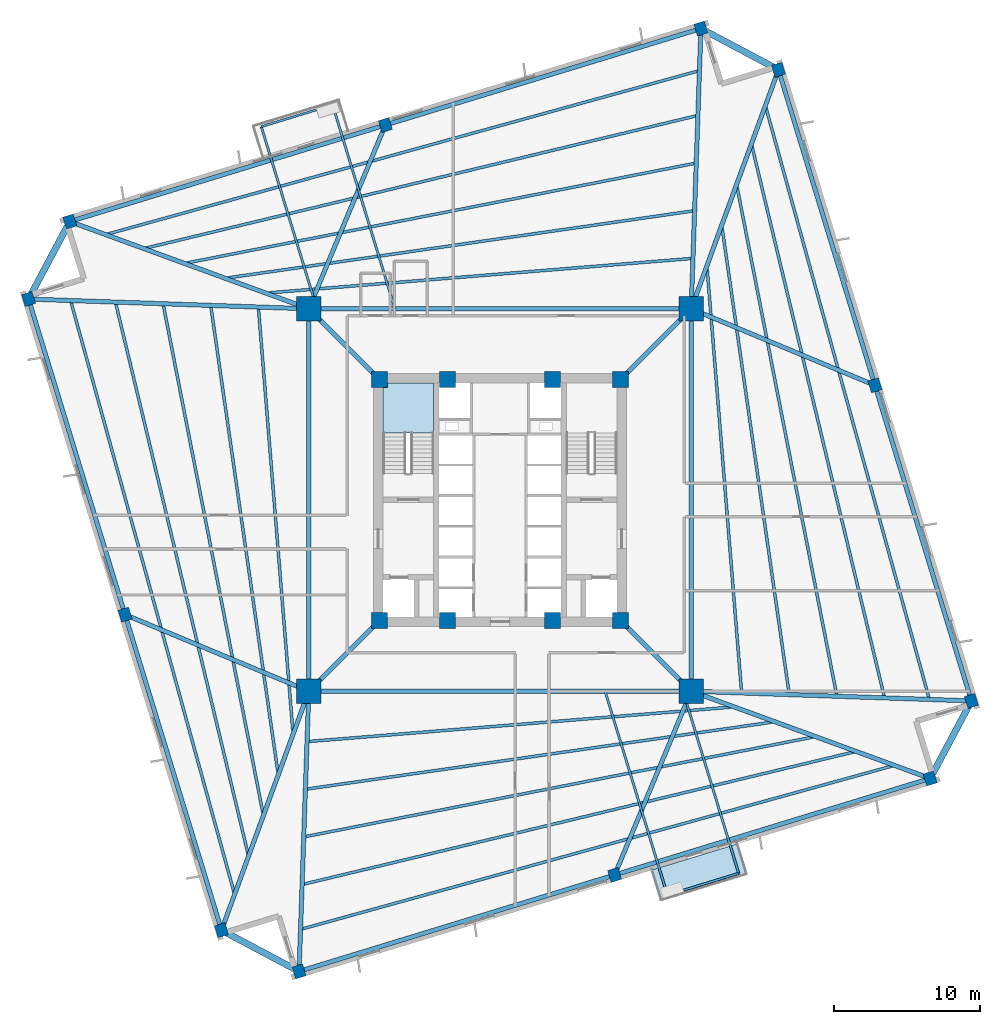
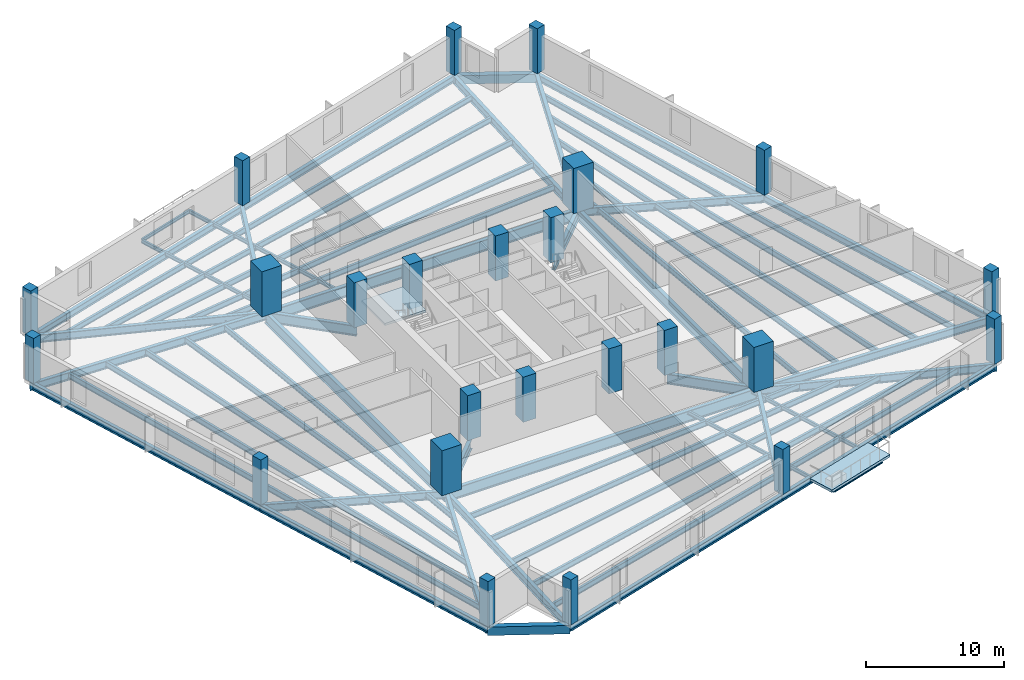
# One storey, part 1 of 8: 58 beams, 24 columns, 2 slabs, 1 element without a shape of its own.
"""IFC4 building model written with IfcOpenShell, lengths in metres."""

from ifc_helpers import new_model, si_unit, direction, frame, origin, origin_2d, place, context, subcontext, project, spatial, polyline, rectangle, i_section, outline, extrude, source, transform, mapped, material, layer, layer_set, material_profile, profile_set, type_object, element, aggregate, save


model = new_model("IFC4")

# Units and contexts
model_context = context("Model", 3, precision=1e-05, world=origin(), true_north=direction((0.0, 1.0)))
body_context = subcontext(model_context, "Body", "Model", "MODEL_VIEW")
ifc_project = project(units=[si_unit("LENGTHUNIT", "METRE"), si_unit("AREAUNIT", "SQUARE_METRE"), si_unit("VOLUMEUNIT", "CUBIC_METRE"), si_unit("PLANEANGLEUNIT", "RADIAN"), si_unit("MASSUNIT", "GRAM", prefix="KILO"), si_unit("THERMODYNAMICTEMPERATUREUNIT", "KELVIN")], contexts=[model_context])

# Site, building, storey
site_placement = place(None, origin())
site = spatial("IfcSite", under=ifc_project, at=site_placement, CompositionType="ELEMENT")
building_placement = place(site_placement, origin())
building = spatial("IfcBuilding", under=site, at=building_placement, Name="Kosmvard Interchange Tower", CompositionType="ELEMENT")
storey_placement = place(building_placement, frame((0.0, 0.0, 99.199951171875)))
storey = spatial("IfcBuildingStorey", under=building, at=storey_placement, Name="L23", CompositionType="ELEMENT", Elevation=99.199951171875)

# Columns
ifc_material_1 = material(Name="Concrete C80/95", Category="concrete")
ifc_material_profile_1 = material_profile(ifc_material_1, rectangle(XDim=1.10009765625, YDim=1.10009765625, at=origin_2d()), Name="CP 1100x1100")
ifc_profile_set_1 = profile_set([ifc_material_profile_1], Name="Concrete C80/95")
column_type_1 = type_object("IfcColumnType", Name="Core Boundary Pilaster 1100x1100 C80/95", PredefinedType="PILASTER", material=ifc_profile_set_1)
shared_shape_1 = source(origin(), body_context, "Body", "SweptSolid", [
    extrude(rectangle(XDim=1.10009765625, YDim=1.10009765625, at=origin_2d()), origin(), (0.0, 0.0, 1.0), 4.0),
])
for number, where, z_axis, x_axis, name in (
    (1, (-8.25, -8.25, 0.0), (0.0, 0.0, 1.0), (1.0, 0.0, 0.0), "L23 Core Pilaster CP1"),
    (2, (8.25, -8.25, 0.0), (0.0, 0.0, 1.0), (1.0, 0.0, 0.0), "L23 Core Pilaster CP2"),
    (3, (8.25, 8.25, 0.0), (0.0, 0.0, 1.0), (1.0, 0.0, 0.0), "L23 Core Pilaster CP3"),
    (4, (-8.25, 8.25, 0.0), (0.0, 0.0, 1.0), (1.0, 0.0, 0.0), "L23 Core Pilaster CP4"),
    (5, (-3.60009765625, -8.25, 0.0), (0.0, 0.0, 1.0), (1.0, 0.0, 0.0), "L23 Core Pilaster CP5"),
    (6, (3.60009765625, -8.25, 0.0), (0.0, 0.0, 1.0), (1.0, 0.0, 0.0), "L23 Core Pilaster CP6"),
    (7, (-3.60009765625, 8.25, 0.0), (0.0, 0.0, 1.0), (1.0, 0.0, 0.0), "L23 Core Pilaster CP7"),
    (8, (3.60009765625, 8.25, 0.0), (0.0, 0.0, 1.0), (1.0, 0.0, 0.0), "L23 Core Pilaster CP8"),
):
    element("IfcColumn", number, at=place(storey_placement, frame(where, z_axis=z_axis, x_axis=x_axis)), inside=storey, type_object=column_type_1, Name=name, PredefinedType="PILASTER", context=body_context, shape_type="MappedRepresentation", body=[
        mapped(shared_shape_1, transform((0.0, 0.0, 0.0), scale=1.0)),
    ])
ifc_material_2 = material(Name="Concrete C70/85", Category="concrete")
ifc_material_profile_2 = material_profile(ifc_material_2, rectangle(XDim=1.64990234375, YDim=1.64990234375, at=origin_2d()), Name="MC 1650x1650")
ifc_profile_set_2 = profile_set([ifc_material_profile_2], Name="Concrete C70/85")
column_type_2 = type_object("IfcColumnType", Name="Composite Mega-Column 1650x1650 C70/85", PredefinedType="COLUMN", material=ifc_profile_set_2)
shared_shape_2 = source(origin(), body_context, "Body", "SweptSolid", [
    extrude(rectangle(XDim=1.64990234375, YDim=1.64990234375, at=origin_2d()), origin(), (0.0, 0.0, 1.0), 4.0),
])
for number, where, z_axis, x_axis, name in (
    (9, (-13.0810546875, -13.0810546875, 0.0), (0.0, 0.0, 1.0), (1.0, 0.0, 0.0), "L23 Corner Mega-Column MC1"),
    (10, (13.0810546875, -13.0810546875, 0.0), (0.0, 0.0, 1.0), (1.0, 0.0, 0.0), "L23 Corner Mega-Column MC2"),
    (11, (13.0810546875, 13.0810546875, 0.0), (0.0, 0.0, 1.0), (1.0, 0.0, 0.0), "L23 Corner Mega-Column MC3"),
    (12, (-13.0810546875, 13.0810546875, 0.0), (0.0, 0.0, 1.0), (1.0, 0.0, 0.0), "L23 Corner Mega-Column MC4"),
):
    element("IfcColumn", number, at=place(storey_placement, frame(where, z_axis=z_axis, x_axis=x_axis)), inside=storey, type_object=column_type_2, Name=name, PredefinedType="COLUMN", context=body_context, shape_type="MappedRepresentation", body=[
        mapped(shared_shape_2, transform((0.0, 0.0, 0.0), scale=1.0)),
    ])
ifc_material_3 = material(Name="Concrete C60/75", Category="concrete")
ifc_material_profile_3 = material_profile(ifc_material_3, rectangle(XDim=0.75, YDim=0.85009765625, at=origin_2d()), Name="TC 850x750")
ifc_profile_set_3 = profile_set([ifc_material_profile_3], Name="Concrete C60/75")
column_type_3 = type_object("IfcColumnType", Name="Zone 2 Perimeter Pier Column 850x750 C60/75", PredefinedType="COLUMN", material=ifc_profile_set_3)
shared_shape_3 = source(origin(), body_context, "Body", "SweptSolid", [
    extrude(rectangle(XDim=0.75, YDim=0.85009765625, at=origin_2d()), origin(), (0.0, 0.0, 1.0), 4.0),
])
for number, where, z_axis, x_axis, name in (
    (13, (-13.74560546875, -32.253173828125, 0.0), (0.0, 0.0, 1.0), (0.956304755963, 0.292371704723, 0.0), "L23 Perimeter Pier Column TC-S1"),
    (14, (7.8427734375, -25.65283203125, 0.0), (0.0, 0.0, 1.0), (0.956304755963, 0.292371704723, 0.0), "L23 Perimeter Pier Column TC-S2"),
    (15, (29.431396484375, -19.052490234375, 0.0), (0.0, 0.0, 1.0), (0.956304755963, 0.292371704723, 0.0), "L23 Perimeter Pier Column TC-S3"),
    (16, (32.253173828125, -13.74560546875, 0.0), (0.0, 0.0, 1.0), (0.956304755963, 0.292371704723, 0.0), "L23 Perimeter Pier Column TC-E1"),
    (17, (25.65283203125, 7.8427734375, 0.0), (0.0, 0.0, 1.0), (0.956304755963, 0.292371704723, 0.0), "L23 Perimeter Pier Column TC-E2"),
    (18, (19.052490234375, 29.431396484375, 0.0), (0.0, 0.0, 1.0), (0.956304755963, 0.292371704723, 0.0), "L23 Perimeter Pier Column TC-E3"),
    (19, (13.74560546875, 32.253173828125, 0.0), (0.0, 0.0, 1.0), (0.956304755963, 0.292371704723, 0.0), "L23 Perimeter Pier Column TC-N1"),
    (20, (-7.8427734375, 25.65283203125, 0.0), (0.0, 0.0, 1.0), (0.956304755963, 0.292371704723, 0.0), "L23 Perimeter Pier Column TC-N2"),
    (21, (-29.431396484375, 19.052490234375, 0.0), (0.0, 0.0, 1.0), (0.956304755963, 0.292371704723, 0.0), "L23 Perimeter Pier Column TC-N3"),
    (22, (-32.253173828125, 13.74560546875, 0.0), (0.0, 0.0, 1.0), (0.956304755963, 0.292371704723, 0.0), "L23 Perimeter Pier Column TC-W1"),
    (23, (-25.65283203125, -7.8427734375, 0.0), (0.0, 0.0, 1.0), (0.956304755963, 0.292371704723, 0.0), "L23 Perimeter Pier Column TC-W2"),
    (24, (-19.052490234375, -29.431396484375, 0.0), (0.0, 0.0, 1.0), (0.956304755963, 0.292371704723, 0.0), "L23 Perimeter Pier Column TC-W3"),
):
    element("IfcColumn", number, at=place(storey_placement, frame(where, z_axis=z_axis, x_axis=x_axis)), inside=storey, type_object=column_type_3, Name=name, PredefinedType="COLUMN", context=body_context, shape_type="MappedRepresentation", body=[
        mapped(shared_shape_3, transform((0.0, 0.0, 0.0), scale=1.0)),
    ])

# Beams
ifc_material_4 = material(Name="Steel S460", Category="steel")
ifc_material_profile_4 = material_profile(ifc_material_4, i_section(OverallWidth=0.30810546875, OverallDepth=0.909912109375, WebThickness=0.02099609375, FlangeThickness=0.0400390625, FilletRadius=0.027099609375, at=origin_2d()), Name="HEM 900")
ifc_profile_set_4 = profile_set([ifc_material_profile_4], Name="Steel S460")
beam_type_1 = type_object("IfcBeamType", Name="Primary Mega-Frame Girder HEM 900 S460", PredefinedType="BEAM", material=ifc_profile_set_4)
shared_shape_4 = source(origin(), body_context, "Body", "SweptSolid", [
    extrude(i_section(OverallWidth=0.30810546875, OverallDepth=0.909912109375, WebThickness=0.02099609375, FlangeThickness=0.0400390625, FilletRadius=0.027099609375, at=origin_2d()), origin(), (0.0, 0.0, 1.0), 6.83203125),
])
for number, where, z_axis, x_axis, name in (
    (25, (-8.25, -8.25, -0.71484375), (-0.707106781187, -0.707106781187, 0.0), (0.707106781187, -0.707106781187, 0.0), "L23 Radial Mega-Frame Girder 1"),
    (26, (8.25, -8.25, -0.71484375), (0.707106781187, -0.707106781187, 0.0), (0.707106781187, 0.707106781187, 0.0), "L23 Radial Mega-Frame Girder 2"),
    (27, (8.25, 8.25, -0.71484375), (0.707106781187, 0.707106781187, 0.0), (-0.707106781187, 0.707106781187, 0.0), "L23 Radial Mega-Frame Girder 3"),
    (28, (-8.25, 8.25, -0.71484375), (-0.707106781187, 0.707106781187, 0.0), (-0.707106781187, -0.707106781187, 0.0), "L23 Radial Mega-Frame Girder 4"),
):
    element("IfcBeam", number, at=place(storey_placement, frame(where, z_axis=z_axis, x_axis=x_axis)), inside=storey, type_object=beam_type_1, Name=name, PredefinedType="BEAM", context=body_context, shape_type="MappedRepresentation", body=[
        mapped(shared_shape_4, transform((0.0, 0.0, 0.0), scale=1.0)),
    ])
ifc_material_profile_5 = material_profile(ifc_material_4, i_section(OverallWidth=0.30908203125, OverallDepth=1.008056640625, WebThickness=0.02099609375, FlangeThickness=0.0400390625, FilletRadius=0.030029296875, at=origin_2d()), Name="HEM 1000")
ifc_profile_set_5 = profile_set([ifc_material_profile_5], Name="Steel S460")
beam_type_2 = type_object("IfcBeamType", Name="Mega-Column Ring Girder HEM 1000 S460", PredefinedType="BEAM", material=ifc_profile_set_5)
shared_shape_5 = source(origin(), body_context, "Body", "SweptSolid", [
    extrude(i_section(OverallWidth=0.30908203125, OverallDepth=1.008056640625, WebThickness=0.02099609375, FlangeThickness=0.0400390625, FilletRadius=0.030029296875, at=origin_2d()), origin(), (0.0, 0.0, 1.0), 26.162109375),
])
for number, where, z_axis, x_axis, name in (
    (29, (-13.0810546875, -13.0810546875, -0.763916015625), (1.0, 0.0, 0.0), (0.0, 1.0, 0.0), "L23 Mega-Column Ring Girder 1"),
    (30, (13.0810546875, -13.0810546875, -0.763916015625), (0.0, 1.0, 0.0), (-1.0, 0.0, 0.0), "L23 Mega-Column Ring Girder 2"),
    (31, (13.0810546875, 13.0810546875, -0.763916015625), (-1.0, 0.0, 0.0), (0.0, -1.0, 0.0), "L23 Mega-Column Ring Girder 3"),
    (32, (-13.0810546875, 13.0810546875, -0.763916015625), (0.0, -1.0, 0.0), (1.0, 0.0, 0.0), "L23 Mega-Column Ring Girder 4"),
):
    element("IfcBeam", number, at=place(storey_placement, frame(where, z_axis=z_axis, x_axis=x_axis)), inside=storey, type_object=beam_type_2, Name=name, PredefinedType="BEAM", context=body_context, shape_type="MappedRepresentation", body=[
        mapped(shared_shape_5, transform((0.0, 0.0, 0.0), scale=1.0)),
    ])
ifc_material_5 = material(Name="Steel S355", Category="steel")
ifc_material_profile_6 = material_profile(ifc_material_5, i_section(OverallWidth=0.14990234375, OverallDepth=0.300048828125, WebThickness=0.007080078125, FlangeThickness=0.0107421875, FilletRadius=0.014892578125, at=origin_2d()), Name="IPE 300")
ifc_profile_set_6 = profile_set([ifc_material_profile_6], Name="Steel S355")
beam_type_3 = type_object("IfcBeamType", Name="Balcony Edge Header Joist IPE 300 S355", PredefinedType="JOIST", material=ifc_profile_set_6)
shared_shape_6 = source(origin(), body_context, "Body", "SweptSolid", [
    extrude(i_section(OverallWidth=0.14990234375, OverallDepth=0.300048828125, WebThickness=0.007080078125, FlangeThickness=0.0107421875, FilletRadius=0.014892578125, at=origin_2d()), origin(), (0.0, 0.0, 1.0), 5.099853515625),
])
for number, where, z_axis, x_axis, name in (
    (33, (-11.4541015625, 27.032470703125, -0.409912109375), (-0.956295066015, -0.292403397238, 0.0), (0.292403397238, -0.956295066015, 0.0), "BM-L23-BJH1"),
    (34, (11.4541015625, -27.032470703125, -0.409912109375), (0.956295066015, 0.292403397238, 0.0), (-0.292403397238, 0.956295066015, 0.0), "BM-L23-BJH2"),
):
    element("IfcBeam", number, at=place(storey_placement, frame(where, z_axis=z_axis, x_axis=x_axis)), inside=storey, type_object=beam_type_3, Name=name, PredefinedType="JOIST", context=body_context, shape_type="MappedRepresentation", body=[
        mapped(shared_shape_6, transform((0.0, 0.0, 0.0), scale=1.0)),
    ])
ifc_material_profile_7 = material_profile(ifc_material_5, i_section(OverallWidth=0.300048828125, OverallDepth=0.60009765625, WebThickness=0.015380859375, FlangeThickness=0.030029296875, FilletRadius=0.027099609375, at=origin_2d()), Name="HEB 600")
ifc_profile_set_7 = profile_set([ifc_material_profile_7], Name="Steel S355")
beam_type_4 = type_object("IfcBeamType", Name="Perimeter Tie Girder HEB 600 S355", PredefinedType="BEAM", material=ifc_profile_set_7)
shared_shape_7 = source(origin(), body_context, "Body", "SweptSolid", [
    extrude(i_section(OverallWidth=0.300048828125, OverallDepth=0.60009765625, WebThickness=0.015380859375, FlangeThickness=0.030029296875, FilletRadius=0.027099609375, at=origin_2d()), origin(), (0.0, 0.0, 1.0), 22.57470703125),
])
for number, where, z_axis, x_axis, name in (
    (35, (-13.74560546875, -32.253173828125, -0.56005859375), (0.956303368768, 0.292376241995, 0.0), (-0.292376241995, 0.956303368768, 0.0), "BM-L23-PR01"),
    (36, (32.253173828125, -13.74560546875, -0.56005859375), (-0.292376241995, 0.956303368768, 0.0), (-0.956303368768, -0.292376241995, 0.0), "BM-L23-PR04"),
    (37, (13.74560546875, 32.253173828125, -0.56005859375), (-0.956303368768, -0.292376241995, 0.0), (0.292376241995, -0.956303368768, 0.0), "BM-L23-PR07"),
    (38, (-32.253173828125, 13.74560546875, -0.56005859375), (0.292376241995, -0.956303368768, 0.0), (0.956303368768, 0.292376241995, 0.0), "BM-L23-PR10"),
):
    element("IfcBeam", number, at=place(storey_placement, frame(where, z_axis=z_axis, x_axis=x_axis)), inside=storey, type_object=beam_type_4, Name=name, PredefinedType="BEAM", context=body_context, shape_type="MappedRepresentation", body=[
        mapped(shared_shape_7, transform((0.0, 0.0, 0.0), scale=1.0)),
    ])
ifc_material_profile_8 = material_profile(ifc_material_5, i_section(OverallWidth=0.300048828125, OverallDepth=0.699951171875, WebThickness=0.01708984375, FlangeThickness=0.031982421875, FilletRadius=0.027099609375, at=origin_2d()), Name="HEB 700")
ifc_profile_set_8 = profile_set([ifc_material_profile_8], Name="Steel S355")
beam_type_5 = type_object("IfcBeamType", Name="Primary Floor Girder HEB 700 S355", PredefinedType="BEAM", material=ifc_profile_set_8)
shared_shape_8 = source(origin(), body_context, "Body", "SweptSolid", [
    extrude(i_section(OverallWidth=0.300048828125, OverallDepth=0.699951171875, WebThickness=0.01708984375, FlangeThickness=0.031982421875, FilletRadius=0.027099609375, at=origin_2d()), origin(), (0.0, 0.0, 1.0), 19.18359375),
])
for number, where, z_axis, x_axis, name in (
    (39, (-13.0810546875, -13.0810546875, -0.60986328125), (-0.034641549738, -0.999399801397, 0.0), (0.999399801397, -0.034641549738, 0.0), "BM-L23-RD01"),
    (40, (13.0810546875, -13.0810546875, -0.60986328125), (0.999399801397, -0.034641549738, 0.0), (0.034641549738, 0.999399801397, 0.0), "BM-L23-RD04"),
    (41, (13.0810546875, 13.0810546875, -0.60986328125), (0.034641549738, 0.999399801397, 0.0), (-0.999399801397, 0.034641549738, 0.0), "BM-L23-RD07"),
    (42, (-13.0810546875, 13.0810546875, -0.60986328125), (-0.999399801397, 0.034641549738, 0.0), (-0.034641549738, -0.999399801397, 0.0), "BM-L23-RD10"),
):
    element("IfcBeam", number, at=place(storey_placement, frame(where, z_axis=z_axis, x_axis=x_axis)), inside=storey, type_object=beam_type_5, Name=name, PredefinedType="BEAM", context=body_context, shape_type="MappedRepresentation", body=[
        mapped(shared_shape_8, transform((0.0, 0.0, 0.0), scale=1.0)),
    ])
shared_shape_9 = source(origin(), body_context, "Body", "SweptSolid", [
    extrude(i_section(OverallWidth=0.300048828125, OverallDepth=0.60009765625, WebThickness=0.015380859375, FlangeThickness=0.030029296875, FilletRadius=0.027099609375, at=origin_2d()), origin(), (0.0, 0.0, 1.0), 22.574951171875),
])
for number, where, z_axis, x_axis, name in (
    (43, (7.8427734375, -25.65283203125, -0.56005859375), (0.956304293239, 0.292373218222, 0.0), (-0.292373218222, 0.956304293239, 0.0), "BM-L23-PR02"),
    (44, (25.65283203125, 7.8427734375, -0.56005859375), (-0.292373218222, 0.956304293239, 0.0), (-0.956304293239, -0.292373218222, 0.0), "BM-L23-PR05"),
    (45, (-7.8427734375, 25.65283203125, -0.56005859375), (-0.956304293239, -0.292373218222, 0.0), (0.292373218222, -0.956304293239, 0.0), "BM-L23-PR08"),
    (46, (-25.65283203125, -7.8427734375, -0.56005859375), (0.292373218222, -0.956304293239, 0.0), (0.956304293239, 0.292373218222, 0.0), "BM-L23-PR11"),
):
    element("IfcBeam", number, at=place(storey_placement, frame(where, z_axis=z_axis, x_axis=x_axis)), inside=storey, type_object=beam_type_4, Name=name, PredefinedType="BEAM", context=body_context, shape_type="MappedRepresentation", body=[
        mapped(shared_shape_9, transform((0.0, 0.0, 0.0), scale=1.0)),
    ])
shared_shape_10 = source(origin(), body_context, "Body", "SweptSolid", [
    extrude(i_section(OverallWidth=0.300048828125, OverallDepth=0.699951171875, WebThickness=0.01708984375, FlangeThickness=0.031982421875, FilletRadius=0.027099609375, at=origin_2d()), origin(), (0.0, 0.0, 1.0), 13.619384765625),
])
for number, where, z_axis, x_axis, name in (
    (47, (13.0810546875, -13.0810546875, -0.60986328125), (-0.384617930303, -0.92307586237, 0.0), (0.92307586237, -0.384617930303, 0.0), "BM-L23-RD02"),
    (48, (13.0810546875, 13.0810546875, -0.60986328125), (0.92307586237, -0.384617930303, 0.0), (0.384617930303, 0.92307586237, 0.0), "BM-L23-RD05"),
    (49, (-13.0810546875, 13.0810546875, -0.60986328125), (0.384617930303, 0.92307586237, 0.0), (-0.92307586237, 0.384617930303, 0.0), "BM-L23-RD08"),
    (50, (-13.0810546875, -13.0810546875, -0.60986328125), (-0.92307586237, 0.384617930303, 0.0), (-0.384617930303, -0.92307586237, 0.0), "BM-L23-RD11"),
):
    element("IfcBeam", number, at=place(storey_placement, frame(where, z_axis=z_axis, x_axis=x_axis)), inside=storey, type_object=beam_type_5, Name=name, PredefinedType="BEAM", context=body_context, shape_type="MappedRepresentation", body=[
        mapped(shared_shape_10, transform((0.0, 0.0, 0.0), scale=1.0)),
    ])
ifc_material_6 = material(Name="Precast concrete C45/55", Category="concrete")
ifc_material_profile_9 = material_profile(ifc_material_6, rectangle(XDim=0.449951171875, YDim=0.75, at=origin_2d()), Name="SL 450x750")
ifc_profile_set_9 = profile_set([ifc_material_profile_9], Name="Precast concrete C45/55")
beam_type_6 = type_object("IfcBeamType", Name="Precast Spandrel Lintel 450x750 C45/55", PredefinedType="LINTEL", material=ifc_profile_set_9)
shared_shape_11 = source(origin(), body_context, "Body", "SweptSolid", [
    extrude(rectangle(XDim=0.449951171875, YDim=0.75, at=origin_2d()), origin(), (0.0, 0.0, 1.0), 6.010498046875),
])
for number, where, z_axis, x_axis, name in (
    (51, (29.431396484375, -19.052490234375, -0.635009765625), (0.469478912111, 0.882943685114, 0.0), (-0.882943685114, 0.469478912111, 0.0), "BM-L23-SL1"),
    (52, (19.052490234375, 29.431396484375, -0.635009765625), (-0.882943685114, 0.469478912111, 0.0), (-0.469478912111, -0.882943685114, 0.0), "BM-L23-SL2"),
    (53, (-29.431396484375, 19.052490234375, -0.635009765625), (-0.469478912111, -0.882943685114, 0.0), (0.882943685114, -0.469478912111, 0.0), "BM-L23-SL3"),
    (54, (-19.052490234375, -29.431396484375, -0.635009765625), (0.882943685114, -0.469478912111, 0.0), (0.469478912111, 0.882943685114, 0.0), "BM-L23-SL4"),
):
    element("IfcBeam", number, at=place(storey_placement, frame(where, z_axis=z_axis, x_axis=x_axis)), inside=storey, type_object=beam_type_6, Name=name, PredefinedType="LINTEL", context=body_context, shape_type="MappedRepresentation", body=[
        mapped(shared_shape_11, transform((0.0, 0.0, 0.0), scale=1.0)),
    ])
shared_shape_12 = source(origin(), body_context, "Body", "SweptSolid", [
    extrude(i_section(OverallWidth=0.300048828125, OverallDepth=0.699951171875, WebThickness=0.01708984375, FlangeThickness=0.031982421875, FilletRadius=0.027099609375, at=origin_2d()), origin(), (0.0, 0.0, 1.0), 17.40673828125),
])
for number, where, z_axis, x_axis, name in (
    (55, (13.0810546875, -13.0810546875, -0.60986328125), (0.939315429031, -0.343054696491, 0.0), (0.343054696491, 0.939315429031, 0.0), "BM-L23-RD03"),
    (56, (13.0810546875, 13.0810546875, -0.60986328125), (0.343054696491, 0.939315429031, 0.0), (-0.939315429031, 0.343054696491, 0.0), "BM-L23-RD06"),
    (57, (-13.0810546875, 13.0810546875, -0.60986328125), (-0.939315429031, 0.343054696491, 0.0), (-0.343054696491, -0.939315429031, 0.0), "BM-L23-RD09"),
    (58, (-13.0810546875, -13.0810546875, -0.60986328125), (-0.343054696491, -0.939315429031, 0.0), (0.939315429031, -0.343054696491, 0.0), "BM-L23-RD12"),
):
    element("IfcBeam", number, at=place(storey_placement, frame(where, z_axis=z_axis, x_axis=x_axis)), inside=storey, type_object=beam_type_5, Name=name, PredefinedType="BEAM", context=body_context, shape_type="MappedRepresentation", body=[
        mapped(shared_shape_12, transform((0.0, 0.0, 0.0), scale=1.0)),
    ])
ifc_material_profile_10 = material_profile(ifc_material_5, i_section(OverallWidth=0.199951171875, OverallDepth=0.5, WebThickness=0.01025390625, FlangeThickness=0.01611328125, FilletRadius=0.02099609375, at=origin_2d()), Name="IPE 500")
ifc_profile_set_10 = profile_set([ifc_material_profile_10], Name="Steel S355")
beam_type_7 = type_object("IfcBeamType", Name="Standard Floor Joist IPE 500 S355", PredefinedType="JOIST", material=ifc_profile_set_10)
shared_shape_13 = source(origin(), body_context, "Body", "SweptSolid", [
    extrude(i_section(OverallWidth=0.199951171875, OverallDepth=0.5, WebThickness=0.01025390625, FlangeThickness=0.01611328125, FilletRadius=0.02099609375, at=origin_2d()), origin(), (0.0, 0.0, 1.0), 29.1611328125),
])
for number, where, z_axis, x_axis, name in (
    (59, (-13.120849609375, -16.525390625, -0.510009765625), (0.99671134435, 0.081033919093, 0.0), (-0.081033919093, 0.99671134435, 0.0), "BM-L23-FJ01"),
    (60, (16.525390625, -13.120849609375, -0.510009765625), (-0.081033919093, 0.99671134435, 0.0), (-0.99671134435, -0.081033919093, 0.0), "BM-L23-FJ06"),
    (61, (13.120849609375, 16.525390625, -0.510009765625), (-0.99671134435, -0.081033919093, 0.0), (0.081033919093, -0.99671134435, 0.0), "BM-L23-FJ11"),
    (62, (-16.525390625, 13.120849609375, -0.510009765625), (0.081033919093, -0.99671134435, 0.0), (0.99671134435, 0.081033919093, 0.0), "BM-L23-FJ16"),
):
    element("IfcBeam", number, at=place(storey_placement, frame(where, z_axis=z_axis, x_axis=x_axis)), inside=storey, type_object=beam_type_7, Name=name, PredefinedType="JOIST", context=body_context, shape_type="MappedRepresentation", body=[
        mapped(shared_shape_13, transform((0.0, 0.0, 0.0), scale=1.0)),
    ])
shared_shape_14 = source(origin(), body_context, "Body", "SweptSolid", [
    extrude(i_section(OverallWidth=0.199951171875, OverallDepth=0.5, WebThickness=0.01025390625, FlangeThickness=0.01611328125, FilletRadius=0.02099609375, at=origin_2d()), origin(), (0.0, 0.0, 1.0), 32.287841796875),
])
for number, where, z_axis, x_axis, name in (
    (63, (-13.234375, -19.77978515625, -0.510009765625), (0.989810798314, 0.142388846268, 0.0), (-0.142388846268, 0.989810798314, 0.0), "BM-L23-FJ02"),
    (64, (19.77978515625, -13.234375, -0.510009765625), (-0.142388846268, 0.989810798314, 0.0), (-0.989810798314, -0.142388846268, 0.0), "BM-L23-FJ07"),
    (65, (13.234375, 19.77978515625, -0.510009765625), (-0.989810798314, -0.142388846268, 0.0), (0.142388846268, -0.989810798314, 0.0), "BM-L23-FJ12"),
    (66, (-19.77978515625, 13.234375, -0.510009765625), (0.142388846268, -0.989810798314, 0.0), (0.989810798314, 0.142388846268, 0.0), "BM-L23-FJ17"),
):
    element("IfcBeam", number, at=place(storey_placement, frame(where, z_axis=z_axis, x_axis=x_axis)), inside=storey, type_object=beam_type_7, Name=name, PredefinedType="JOIST", context=body_context, shape_type="MappedRepresentation", body=[
        mapped(shared_shape_14, transform((0.0, 0.0, 0.0), scale=1.0)),
    ])
shared_shape_15 = source(origin(), body_context, "Body", "SweptSolid", [
    extrude(i_section(OverallWidth=0.199951171875, OverallDepth=0.5, WebThickness=0.01025390625, FlangeThickness=0.01611328125, FilletRadius=0.02099609375, at=origin_2d()), origin(), (0.0, 0.0, 1.0), 35.516357421875),
])
for number, where, z_axis, x_axis, name in (
    (67, (-13.34814453125, -23.03515625, -0.510009765625), (0.981315785618, 0.192404077134, 0.0), (-0.192404077134, 0.981315785618, 0.0), "BM-L23-FJ03"),
    (68, (23.03515625, -13.34814453125, -0.510009765625), (-0.192404077134, 0.981315785618, 0.0), (-0.981315785618, -0.192404077134, 0.0), "BM-L23-FJ08"),
    (69, (13.34814453125, 23.03515625, -0.510009765625), (-0.981315785618, -0.192404077134, 0.0), (0.192404077134, -0.981315785618, 0.0), "BM-L23-FJ13"),
    (70, (-23.03515625, 13.34814453125, -0.510009765625), (0.192404077134, -0.981315785618, 0.0), (0.981315785618, 0.192404077134, 0.0), "BM-L23-FJ18"),
):
    element("IfcBeam", number, at=place(storey_placement, frame(where, z_axis=z_axis, x_axis=x_axis)), inside=storey, type_object=beam_type_7, Name=name, PredefinedType="JOIST", context=body_context, shape_type="MappedRepresentation", body=[
        mapped(shared_shape_15, transform((0.0, 0.0, 0.0), scale=1.0)),
    ])
shared_shape_16 = source(origin(), body_context, "Body", "SweptSolid", [
    extrude(i_section(OverallWidth=0.199951171875, OverallDepth=0.5, WebThickness=0.01025390625, FlangeThickness=0.01611328125, FilletRadius=0.02099609375, at=origin_2d()), origin(), (0.0, 0.0, 1.0), 38.821533203125),
])
for number, where, z_axis, x_axis, name in (
    (71, (-13.4619140625, -26.291015625, -0.510009765625), (0.972318244358, 0.233660505198, 0.0), (-0.233660505198, 0.972318244358, 0.0), "BM-L23-FJ04"),
    (72, (26.291015625, -13.4619140625, -0.510009765625), (-0.233660505198, 0.972318244358, 0.0), (-0.972318244358, -0.233660505198, 0.0), "BM-L23-FJ09"),
    (73, (13.4619140625, 26.291015625, -0.510009765625), (-0.972318244358, -0.233660505198, 0.0), (0.233660505198, -0.972318244358, 0.0), "BM-L23-FJ14"),
    (74, (-26.291015625, 13.4619140625, -0.510009765625), (0.233660505198, -0.972318244358, 0.0), (0.972318244358, 0.233660505198, 0.0), "BM-L23-FJ19"),
):
    element("IfcBeam", number, at=place(storey_placement, frame(where, z_axis=z_axis, x_axis=x_axis)), inside=storey, type_object=beam_type_7, Name=name, PredefinedType="JOIST", context=body_context, shape_type="MappedRepresentation", body=[
        mapped(shared_shape_16, transform((0.0, 0.0, 0.0), scale=1.0)),
    ])
shared_shape_17 = source(origin(), body_context, "Body", "SweptSolid", [
    extrude(i_section(OverallWidth=0.199951171875, OverallDepth=0.5, WebThickness=0.01025390625, FlangeThickness=0.01611328125, FilletRadius=0.02099609375, at=origin_2d()), origin(), (0.0, 0.0, 1.0), 41.98583984375),
])
for number, where, z_axis, x_axis, name in (
    (75, (-13.56884765625, -29.35595703125, -0.510009765625), (0.96391074105, 0.266225624778, 0.0), (-0.266225624778, 0.96391074105, 0.0), "BM-L23-FJ05"),
    (76, (29.35595703125, -13.56884765625, -0.510009765625), (-0.266225624778, 0.96391074105, 0.0), (-0.96391074105, -0.266225624778, 0.0), "BM-L23-FJ10"),
    (77, (13.56884765625, 29.35595703125, -0.510009765625), (-0.96391074105, -0.266225624778, 0.0), (0.266225624778, -0.96391074105, 0.0), "BM-L23-FJ15"),
    (78, (-29.35595703125, 13.56884765625, -0.510009765625), (0.266225624778, -0.96391074105, 0.0), (0.96391074105, 0.266225624778, 0.0), "BM-L23-FJ20"),
):
    element("IfcBeam", number, at=place(storey_placement, frame(where, z_axis=z_axis, x_axis=x_axis)), inside=storey, type_object=beam_type_7, Name=name, PredefinedType="JOIST", context=body_context, shape_type="MappedRepresentation", body=[
        mapped(shared_shape_17, transform((0.0, 0.0, 0.0), scale=1.0)),
    ])
ifc_material_profile_11 = material_profile(ifc_material_5, i_section(OverallWidth=0.159912109375, OverallDepth=0.330078125, WebThickness=0.007568359375, FlangeThickness=0.011474609375, FilletRadius=0.01806640625, at=origin_2d()), Name="IPE 330")
ifc_profile_set_11 = profile_set([ifc_material_profile_11], Name="Steel S355")
beam_type_8 = type_object("IfcBeamType", Name="Balcony Cantilever Joist IPE 330 S355", PredefinedType="JOIST", material=ifc_profile_set_11)
shared_shape_18 = source(origin(), body_context, "Body", "SweptSolid", [
    extrude(i_section(OverallWidth=0.159912109375, OverallDepth=0.330078125, WebThickness=0.007568359375, FlangeThickness=0.011474609375, FilletRadius=0.01806640625, at=origin_2d()), origin(), (0.0, 0.0, 1.0), 14.5888671875),
])
for number, where, z_axis, x_axis, name in (
    (79, (-7.188720703125, 13.0810546875, -0.425048828125), (-0.292372013991, 0.95630466141, 0.0), (-0.95630466141, -0.292372013991, 0.0), "BM-L23-BJ1"),
    (80, (7.188720703125, -13.0810546875, -0.425048828125), (0.292372013991, -0.95630466141, 0.0), (0.95630466141, 0.292372013991, 0.0), "BM-L23-BJ2"),
):
    element("IfcBeam", number, at=place(storey_placement, frame(where, z_axis=z_axis, x_axis=x_axis)), inside=storey, type_object=beam_type_8, Name=name, PredefinedType="JOIST", context=body_context, shape_type="MappedRepresentation", body=[
        mapped(shared_shape_18, transform((0.0, 0.0, 0.0), scale=1.0)),
    ])
shared_shape_19 = source(origin(), body_context, "Body", "SweptSolid", [
    extrude(i_section(OverallWidth=0.159912109375, OverallDepth=0.330078125, WebThickness=0.007568359375, FlangeThickness=0.011474609375, FilletRadius=0.01806640625, at=origin_2d()), origin(), (0.0, 0.0, 1.0), 13.029541015625),
])
for number, where, z_axis, x_axis, name in (
    (81, (-12.521728515625, 13.0810546875, -0.425048828125), (-0.292361820938, 0.956307777684, 0.0), (-0.956307777684, -0.292361820938, 0.0), "BM-L23-BJB1"),
    (82, (12.521728515625, -13.0810546875, -0.425048828125), (0.292361820938, -0.956307777684, 0.0), (0.956307777684, 0.292361820938, 0.0), "BM-L23-BJB2"),
):
    element("IfcBeam", number, at=place(storey_placement, frame(where, z_axis=z_axis, x_axis=x_axis)), inside=storey, type_object=beam_type_8, Name=name, PredefinedType="JOIST", context=body_context, shape_type="MappedRepresentation", body=[
        mapped(shared_shape_19, transform((0.0, 0.0, 0.0), scale=1.0)),
    ])

# Stair, slab
ifc_material_7 = material(Name="Concrete C50/60", Category="concrete")
stair_type = type_object("IfcStairType", Name="Dog-Leg Core Exit Stair H4000 C50/60", PredefinedType="HALF_TURN_STAIR", material=ifc_material_7)
stair_placement = place(storey_placement, origin())
stair = element("IfcStair", 83, at=stair_placement, inside=storey, type_object=stair_type, Name="L23 Protected Exit Stair ST-1", PredefinedType="HALF_TURN_STAIR")
ifc_layer_1 = layer(ifc_material_7, 0.199951171875, Name="Concrete C50/60")
ifc_layer_set_1 = layer_set([ifc_layer_1], Name="Concrete C50/60")
slab_type_1 = type_object("IfcSlabType", Name="Stair Half-Landing Slab 200 C50/60", PredefinedType="LANDING", material=ifc_layer_set_1)
slab_1_placement = place(storey_placement, frame((0.0, 0.0, 1.800048828125)))
slab_1 = element("IfcSlab", 84, at=slab_1_placement, type_object=slab_type_1, Name="ST-1 landing 1", PredefinedType="LANDING", context=body_context, shape_type="SweptSolid", body=[
    extrude(outline(polyline([(-4.5400390625, 4.60009765625), (-4.5400390625, 8.0), (-8.0, 8.0), (-8.0, 4.60009765625), (-4.5400390625, 4.60009765625)])), origin(), (0.0, 0.0, 1.0), 0.199951171875),
])
aggregate(stair, [slab_1])

# Slab
ifc_layer_2 = layer(ifc_material_7, 0.22998046875, Name="Concrete C50/60")
ifc_layer_set_2 = layer_set([ifc_layer_2], Name="Concrete C50/60")
slab_type_2 = type_object("IfcSlabType", Name="Tree-Planter Cantilever Balcony Slab 230 C50/60", PredefinedType="FLOOR", material=ifc_layer_set_2)
slab_2_placement = place(storey_placement, frame((0.0, 0.0, -0.22998046875)))
element("IfcSlab", 85, at=slab_2_placement, inside=storey, type_object=slab_type_2, Name="L23 Outdoor Terrace Balcony Slab BAL-L23-SW", PredefinedType="FLOOR", context=body_context, shape_type="SweptSolid", body=[
    extrude(outline(polyline([(11.001220703125, -27.43212890625), (16.93017578125, -25.61962890625), (16.286865234375, -23.515625), (10.35791015625, -25.328369140625), (11.001220703125, -27.43212890625)])), origin(), (0.0, 0.0, 1.0), 0.22998046875),
])

save(model, "model.ifc")
